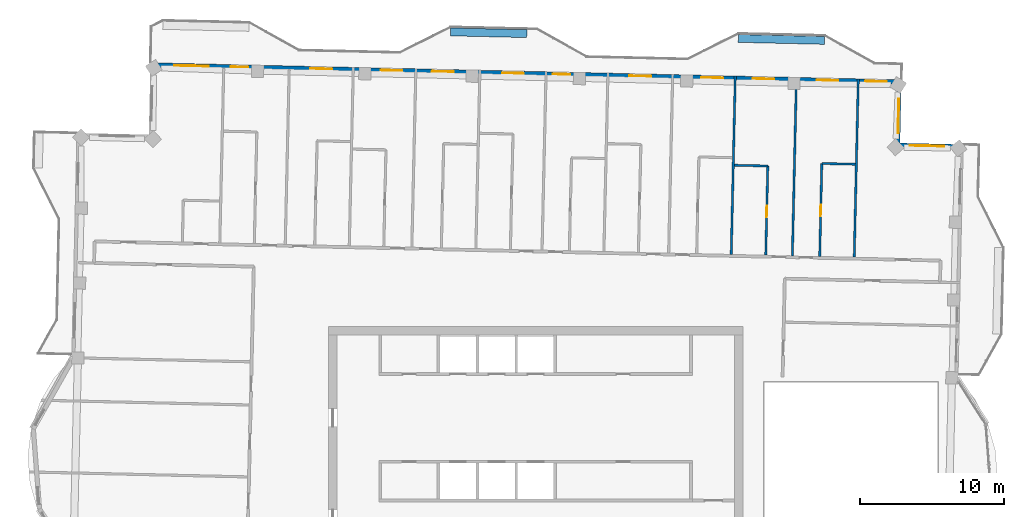
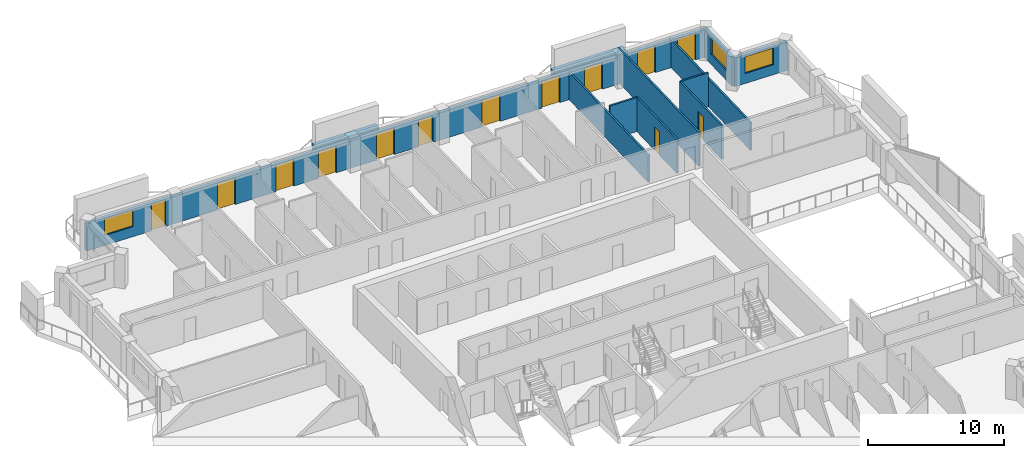
# One storey, part 10 of 15: 13 doors, 12 walls, 3 windows, 16 openings.
"""IFC4 building model written with IfcOpenShell, lengths in metres."""

import ifcopenshell
import ifcopenshell.guid

model = None  # the IFC model being written
_history = None  # IfcOwnerHistory: only IFC2X3 demands one
_inside = {}  # id of a spatial element -> (the spatial element, [elements in it])
_under = {}  # id of a project, library or spatial element -> (it, [spatial elements below it])
_declared = {}  # id of a project -> (the project, [libraries it declares])
_typed = {}  # id of a type object -> (the type object, [elements of that type])
_made_of = {}  # id of a material, layer set ... -> (it, [elements and type objects made of it])


def new_model(schema):
    """Start an empty IFC model of exactly this schema.

    Asked for "IFC4X3", IfcOpenShell would pick the latest addendum, in which some entities
    have other attributes; the version numbers below select the first issue.
    IFC2X3 requires an IfcOwnerHistory on every rooted entity: one is made here for all.
    """
    global model, _history
    if schema == "IFC4X3":
        model = ifcopenshell.file(schema_version=(4, 3, 0, 0))
    else:
        model = ifcopenshell.file(schema=schema)
    _inside.clear()
    _under.clear()
    _declared.clear()
    _typed.clear()
    _made_of.clear()
    _history = None
    if model.schema == "IFC2X3":
        org = make("IfcOrganization", Name="unknown")
        user = make(
            "IfcPersonAndOrganization",
            ThePerson=make("IfcPerson", FamilyName="unknown"),
            TheOrganization=org,
        )
        app = make(
            "IfcApplication",
            ApplicationDeveloper=org,
            Version="unknown",
            ApplicationFullName="unknown",
            ApplicationIdentifier="unknown",
        )
        _history = make(
            "IfcOwnerHistory",
            OwningUser=user,
            OwningApplication=app,
            ChangeAction="ADDED",
            CreationDate=0,
        )
    return model


def make(cls, **values):
    """One entity of the class cls with the attributes given. An attribute that is None is left unset."""
    return model.create_entity(
        cls, **{name: value for name, value in values.items() if value is not None}
    )


def rooted(cls, **values):
    """An entity with a GlobalId (a new one), such as an element, a storey or a relation."""
    return make(cls, GlobalId=ifcopenshell.guid.new(), OwnerHistory=_history, **values)


def si_unit(unit_type, name, prefix=None):
    """IfcSIUnit, for example si_unit("LENGTHUNIT", "METRE", prefix="MILLI")."""
    return make("IfcSIUnit", UnitType=unit_type, Prefix=prefix, Name=name)


def assignment(units):
    """IfcUnitAssignment: the units of a project."""
    return None if units is None else make("IfcUnitAssignment", Units=units)


def point(xyz):
    """IfcCartesianPoint."""
    return None if xyz is None else make("IfcCartesianPoint", Coordinates=xyz)


def direction(xyz):
    """IfcDirection."""
    return None if xyz is None else make("IfcDirection", DirectionRatios=xyz)


def frame(location, z_axis=None, x_axis=None):
    """IfcAxis2Placement3D, a coordinate frame: its origin and axes. An axis left out is left unset."""
    return make(
        "IfcAxis2Placement3D",
        Location=point(location),
        Axis=direction(z_axis),
        RefDirection=direction(x_axis),
    )


def frame_2d(location, x_axis=None):
    """IfcAxis2Placement2D, a coordinate frame in the plane: its origin and x axis."""
    return make(
        "IfcAxis2Placement2D", Location=point(location), RefDirection=direction(x_axis)
    )


def origin():
    """The frame at (0, 0, 0) with its axes left unset."""
    return frame((0.0, 0.0, 0.0))


def place(relative_to, where):
    """IfcLocalPlacement: puts the frame where relative to a parent placement (None: the world)."""
    return make(
        "IfcLocalPlacement", PlacementRelTo=relative_to, RelativePlacement=where
    )


def context(
    kind, dimensions, precision=None, world=None, true_north=None, identifier=None
):
    """IfcGeometricRepresentationContext, for example the 3D "Model" context."""
    return make(
        "IfcGeometricRepresentationContext",
        ContextIdentifier=identifier,
        ContextType=kind,
        CoordinateSpaceDimension=dimensions,
        Precision=precision,
        WorldCoordinateSystem=world,
        TrueNorth=true_north,
    )


def subcontext(parent, identifier, kind, view, scale=None):
    """IfcGeometricRepresentationSubContext, for example "Body" below "Model"."""
    return make(
        "IfcGeometricRepresentationSubContext",
        ContextIdentifier=identifier,
        ContextType=kind,
        ParentContext=parent,
        TargetScale=scale,
        TargetView=view,
    )


def project(units=None, contexts=None):
    """IfcProject with its units and contexts."""
    return rooted(
        "IfcProject",
        Name="project",
        RepresentationContexts=contexts,
        UnitsInContext=assignment(units),
    )


def spatial(cls, under=None, at=None, **own):
    """A site, building, storey or space (cls), placed at a placement, below another one or the project."""
    s = rooted(cls, ObjectPlacement=at, **own)
    if under is not None:
        _under.setdefault(under.id(), (under, []))[1].append(s)
    return s


def profile(cls, at=None, kind="AREA", **sizes):
    """A parametric profile (cls). Its sizes go by their IFC names, for example OverallWidth=200.0."""
    return make(cls, ProfileType=kind, Position=at, **sizes)


def rectangle(**sizes):
    """IfcRectangleProfileDef."""
    return profile("IfcRectangleProfileDef", **sizes)


def extrude(swept, where, along, depth):
    """IfcExtrudedAreaSolid: the profile swept, set in the frame where, extruded along a direction by depth."""
    return make(
        "IfcExtrudedAreaSolid",
        SweptArea=swept,
        Position=where,
        ExtrudedDirection=direction(along),
        Depth=depth,
    )


def shape(context_of_items, identifier, shape_type, items):
    """IfcShapeRepresentation: the items that make up one representation, for example the "Body"."""
    return make(
        "IfcShapeRepresentation",
        ContextOfItems=context_of_items,
        RepresentationIdentifier=identifier,
        RepresentationType=shape_type,
        Items=items,
    )


def material(Name=None, Category=None):
    """IfcMaterial."""
    return make("IfcMaterial", Name=Name, Category=Category)


def layer(
    of_material, thickness, ventilated=None, Name=None, Category=None, Priority=None
):
    """IfcMaterialLayer: one layer of a wall or slab, of a material (None: an air gap)."""
    return make(
        "IfcMaterialLayer",
        Material=of_material,
        LayerThickness=thickness,
        IsVentilated=ventilated,
        Name=Name,
        Category=Category,
        Priority=Priority,
    )


def layer_set(layers, Name=None):
    """IfcMaterialLayerSet."""
    return make("IfcMaterialLayerSet", MaterialLayers=layers, LayerSetName=Name)


def made_of(thing, what):
    """Note that an element or type object is made of a material, layer set ...; save() writes the relation."""
    if what is not None:
        _made_of.setdefault(what.id(), (what, []))[1].append(thing)
    return thing


def type_object(cls, material=None, **own):
    """A type object (cls), such as IfcWallType, which elements share."""
    return made_of(rooted(cls, **own), material)


def element(
    cls,
    number,
    at=None,
    inside=None,
    cuts=None,
    type_object=None,
    material=None,
    context=None,
    identifier="Body",
    shape_type=None,
    held_by="IfcProductDefinitionShape",
    body=None,
    shapes=None,
    **own,
):
    """One element of the class cls, such as IfcWall. Its Tag is "e" and its number.

    at: its placement. inside: the storey or other place that contains it. cuts: it is an
    opening in that element (IfcRelVoidsElement). A single representation is given by context,
    identifier, shape_type and body (its items); several are given by shapes. held_by: the class
    of the entity that holds the representations. save() writes the other relations.
    """
    e = rooted(cls, Tag="e%d" % number, ObjectPlacement=at, **own)
    if body is not None:
        shapes = [shape(context, identifier, shape_type, body)]
    if shapes is not None:
        e.Representation = make(held_by, Representations=shapes)
    if inside is not None:
        _inside.setdefault(inside.id(), (inside, []))[1].append(e)
    if cuts is not None:
        rooted(
            "IfcRelVoidsElement", RelatingBuildingElement=cuts, RelatedOpeningElement=e
        )
    if type_object is not None:
        _typed.setdefault(type_object.id(), (type_object, []))[1].append(e)
    return made_of(e, material)


def fill(opening, filler):
    """IfcRelFillsElement: the door or window that sits in an opening."""
    return rooted(
        "IfcRelFillsElement",
        RelatingOpeningElement=opening,
        RelatedBuildingElement=filler,
    )


def aggregate(whole, parts):
    """IfcRelAggregates: a whole, such as a stair, and the parts it consists of."""
    return rooted("IfcRelAggregates", RelatingObject=whole, RelatedObjects=parts)


def save(model, path):
    """Write the relations noted so far, then the file.

    IfcRelAggregates (storeys below a building ...), IfcRelContainedInSpatialStructure (elements
    in a storey), IfcRelDefinesByType, IfcRelAssociatesMaterial and IfcRelDeclares: one each for
    every whole, place, type object, material and project.
    """
    for whole, parts in _under.values():
        aggregate(whole, parts)
    for where, things in _inside.values():
        rooted(
            "IfcRelContainedInSpatialStructure",
            RelatedElements=things,
            RelatingStructure=where,
        )
    for kind, things in _typed.values():
        rooted("IfcRelDefinesByType", RelatedObjects=things, RelatingType=kind)
    for what, things in _made_of.values():
        rooted("IfcRelAssociatesMaterial", RelatedObjects=things, RelatingMaterial=what)
    for by, libraries in _declared.values():
        rooted("IfcRelDeclares", RelatingContext=by, RelatedDefinitions=libraries)
    model.write(path)


model = new_model("IFC4")

# Units and contexts
model_context = context("Model", 3, precision=1e-05, world=origin(), true_north=direction((0.0, 1.0)))
body_context = subcontext(model_context, "Body", "Model", "MODEL_VIEW")
ifc_project = project(units=[si_unit("LENGTHUNIT", "METRE"), si_unit("AREAUNIT", "SQUARE_METRE"), si_unit("VOLUMEUNIT", "CUBIC_METRE"), si_unit("PLANEANGLEUNIT", "RADIAN"), si_unit("MASSUNIT", "GRAM", prefix="KILO")], contexts=[model_context])

# Site, building, storey
site_placement = place(None, origin())
site = spatial("IfcSite", under=ifc_project, at=site_placement, CompositionType="ELEMENT")
building_placement = place(site_placement, origin())
building = spatial("IfcBuilding", under=site, at=building_placement, Name="Mangrove Gate Tower", CompositionType="ELEMENT")
storey_placement = place(building_placement, frame((0.0, 0.0, 320.5)))
storey = spatial("IfcBuildingStorey", under=building, at=storey_placement, Name="L82", CompositionType="ELEMENT", Elevation=320.5)

# Wall, opening, window
ifc_material_1 = material(Name="Limestone", Category="masonry")
ifc_layer_1 = layer(ifc_material_1, 0.0400390625, Name="Limestone cladding")
ifc_material_2 = material(Name="Ventilated air gap")
ifc_layer_2 = layer(ifc_material_2, 0.0400390625, Name="Ventilated cavity")
ifc_material_3 = material(Name="Mineral wool insulation")
ifc_layer_3 = layer(ifc_material_3, 0.06005859375, Name="Insulation")
ifc_material_4 = material(Name="Breather membrane")
ifc_layer_4 = layer(ifc_material_4, 0.001953125, Name="Breather membrane")
ifc_material_5 = material(Name="Concrete C20/25 blockwork", Category="masonry")
ifc_layer_5 = layer(ifc_material_5, 0.14990234375, Name="Blockwork backing wall")
ifc_material_6 = material(Name="Gypsum plaster")
ifc_layer_6 = layer(ifc_material_6, 0.008056640625, Name="Internal plaster")
ifc_layer_set_1 = layer_set([ifc_layer_1, ifc_layer_2, ifc_layer_3, ifc_layer_4, ifc_layer_5, ifc_layer_6], Name="External wall 300 limestone cladding")
wall_type_1 = type_object("IfcWallType", Name="External wall 300 limestone cladding", PredefinedType="SOLIDWALL", material=ifc_layer_set_1)
wall_1_placement = place(storey_placement, frame((29.56298828125, 23.89892578125, 0.0), z_axis=(0.0, 0.0, 1.0), x_axis=(-0.999741204967, 0.022749133868, 0.0)))
wall_1 = element("IfcWall", 1, at=wall_1_placement, inside=storey, type_object=wall_type_1, Name="WALL-L82-N3", PredefinedType="SOLIDWALL", context=body_context, shape_type="SweptSolid", body=[
    extrude(rectangle(XDim=4.400146484375, YDim=0.300048828125, at=frame_2d((2.2001953125, 0.0))), origin(), (0.0, 0.0, 1.0), 2.550048828125),
])
opening_1_placement = place(wall_1_placement, frame((1.1640625, 0.0, 0.89990234375)))
opening_1 = element("IfcOpeningElement", 2, at=opening_1_placement, cuts=wall_1, Name="Opening W2", PredefinedType="OPENING", context=body_context, shape_type="SweptSolid", body=[
    extrude(rectangle(XDim=2.39990234375, YDim=1.5, at=frame_2d((1.199951171875, 0.75))), frame((0.0, 0.159912109375, 0.0), z_axis=(0.0, -1.0, 0.0), x_axis=(1.0, 0.0, 0.0)), (0.0, 0.0, 1.0), 0.320068359375),
])
ifc_material_7 = material(Name="Aluminium frame with double-glazed low-e glass", Category="aluminium")
window_type = type_object("IfcWindowType", Name="Corner room window 2400x1500", PartitioningType="DOUBLE_PANEL_VERTICAL", PredefinedType="WINDOW", material=ifc_material_7)
window_1_placement = place(opening_1_placement, origin())
window_1 = element("IfcWindow", 3, at=window_1_placement, inside=storey, type_object=window_type, Name="WIN-L82-N3-1", OverallHeight=1.5, OverallWidth=2.39990234375, PartitioningType="DOUBLE_PANEL_VERTICAL", PredefinedType="WINDOW", context=body_context, shape_type="SweptSolid", body=[
    extrude(rectangle(XDim=2.39990234375, YDim=1.5, at=frame_2d((1.199951171875, 0.75))), frame((0.0, 0.030029296875, 0.0), z_axis=(0.0, -1.0, 0.0), x_axis=(1.0, 0.0, 0.0)), (0.0, 0.0, 1.0), 0.06005859375),
])
fill(opening_1, window_1)

wall_2_placement = place(storey_placement, frame((25.1640625, 23.9990234375, 0.0), z_axis=(0.0, 0.0, 1.0), x_axis=(0.02269871331, 0.999742351016, 0.0)))
wall_2 = element("IfcWall", 4, at=wall_2_placement, inside=storey, type_object=wall_type_1, Name="WALL-L82-E4", PredefinedType="SOLIDWALL", context=body_context, shape_type="SweptSolid", body=[
    extrude(rectangle(XDim=4.399169921875, YDim=0.300048828125, at=frame_2d((2.19970703125, 0.0))), origin(), (0.0, 0.0, 1.0), 2.550048828125),
])
opening_2_placement = place(wall_2_placement, frame((0.825927734375, 0.0, 0.89990234375)))
opening_2 = element("IfcOpeningElement", 5, at=opening_2_placement, cuts=wall_2, Name="Opening W2", PredefinedType="OPENING", context=body_context, shape_type="SweptSolid", body=[
    extrude(rectangle(XDim=2.39990234375, YDim=1.5, at=frame_2d((1.199951171875, 0.75))), frame((0.0, 0.159912109375, 0.0), z_axis=(0.0, -1.0, 0.0), x_axis=(1.0, 0.0, 0.0)), (0.0, 0.0, 1.0), 0.320068359375),
])
window_2_placement = place(opening_2_placement, origin())
window_2 = element("IfcWindow", 6, at=window_2_placement, inside=storey, type_object=window_type, Name="WIN-L82-E4-1", OverallHeight=1.5, OverallWidth=2.39990234375, PartitioningType="DOUBLE_PANEL_VERTICAL", PredefinedType="WINDOW", context=body_context, shape_type="SweptSolid", body=[
    extrude(rectangle(XDim=2.39990234375, YDim=1.5, at=frame_2d((1.199951171875, 0.75))), frame((0.0, 0.030029296875, 0.0), z_axis=(0.0, -1.0, 0.0), x_axis=(1.0, 0.0, 0.0)), (0.0, 0.0, 1.0), 0.06005859375),
])
fill(opening_2, window_2)

# Wall, openings, doors, window
wall_3_placement = place(storey_placement, frame((25.263916015625, 28.39697265625, 0.0), z_axis=(0.0, 0.0, 1.0), x_axis=(-0.999742391375, 0.022696935658, 0.0)))
wall_3 = element("IfcWall", 7, at=wall_3_placement, inside=storey, type_object=wall_type_1, Name="WALL-L82-N5", PredefinedType="SOLIDWALL", context=body_context, shape_type="SweptSolid", body=[
    extrude(rectangle(XDim=51.900390625, YDim=0.300048828125, at=frame_2d((25.9501953125, 0.0))), origin(), (0.0, 0.0, 1.0), 2.449951171875),
])
opening_3_placement = place(wall_3_placement, frame((0.8740234375, 0.0, 0.0)))
opening_3 = element("IfcOpeningElement", 8, at=opening_3_placement, cuts=wall_3, Name="Opening BD1", PredefinedType="OPENING", context=body_context, shape_type="SweptSolid", body=[
    extrude(rectangle(XDim=1.5, YDim=2.39990234375, at=frame_2d((0.75, 1.199951171875))), frame((0.0, 0.159912109375, 0.0), z_axis=(0.0, -1.0, 0.0), x_axis=(1.0, 0.0, 0.0)), (0.0, 0.0, 1.0), 0.320068359375),
])
opening_4_placement = place(wall_3_placement, frame((4.240966796875, 0.0, 0.0)))
opening_4 = element("IfcOpeningElement", 9, at=opening_4_placement, cuts=wall_3, Name="Opening BD1", PredefinedType="OPENING", context=body_context, shape_type="SweptSolid", body=[
    extrude(rectangle(XDim=1.5, YDim=2.39990234375, at=frame_2d((0.75, 1.199951171875))), frame((0.0, 0.159912109375, 0.0), z_axis=(0.0, -1.0, 0.0), x_axis=(1.0, 0.0, 0.0)), (0.0, 0.0, 1.0), 0.320068359375),
])
opening_5_placement = place(wall_3_placement, frame((8.69091796875, 0.0, 0.0)))
opening_5 = element("IfcOpeningElement", 10, at=opening_5_placement, cuts=wall_3, Name="Opening BD1", PredefinedType="OPENING", context=body_context, shape_type="SweptSolid", body=[
    extrude(rectangle(XDim=1.5, YDim=2.39990234375, at=frame_2d((0.75, 1.199951171875))), frame((0.0, 0.159912109375, 0.0), z_axis=(0.0, -1.0, 0.0), x_axis=(1.0, 0.0, 0.0)), (0.0, 0.0, 1.0), 0.320068359375),
])
opening_6_placement = place(wall_3_placement, frame((12.2451171875, 0.0, 0.0)))
opening_6 = element("IfcOpeningElement", 11, at=opening_6_placement, cuts=wall_3, Name="Opening BD1", PredefinedType="OPENING", context=body_context, shape_type="SweptSolid", body=[
    extrude(rectangle(XDim=1.5, YDim=2.39990234375, at=frame_2d((0.75, 1.199951171875))), frame((0.0, 0.159912109375, 0.0), z_axis=(0.0, -1.0, 0.0), x_axis=(1.0, 0.0, 0.0)), (0.0, 0.0, 1.0), 0.320068359375),
])
opening_7_placement = place(wall_3_placement, frame((17.25, 0.0, 0.0)))
opening_7 = element("IfcOpeningElement", 12, at=opening_7_placement, cuts=wall_3, Name="Opening BD1", PredefinedType="OPENING", context=body_context, shape_type="SweptSolid", body=[
    extrude(rectangle(XDim=1.5, YDim=2.39990234375, at=frame_2d((0.75, 1.199951171875))), frame((0.0, 0.159912109375, 0.0), z_axis=(0.0, -1.0, 0.0), x_axis=(1.0, 0.0, 0.0)), (0.0, 0.0, 1.0), 0.320068359375),
])
opening_8_placement = place(wall_3_placement, frame((22.8740234375, 0.0, 0.0)))
opening_8 = element("IfcOpeningElement", 13, at=opening_8_placement, cuts=wall_3, Name="Opening BD2", PredefinedType="OPENING", context=body_context, shape_type="SweptSolid", body=[
    extrude(rectangle(XDim=1.199951171875, YDim=2.39990234375, at=frame_2d((0.60009765625, 1.199951171875))), frame((0.0, 0.159912109375, 0.0), z_axis=(0.0, -1.0, 0.0), x_axis=(1.0, 0.0, 0.0)), (0.0, 0.0, 1.0), 0.320068359375),
])
opening_9_placement = place(wall_3_placement, frame((26.10009765625, 0.0, 0.0)))
opening_9 = element("IfcOpeningElement", 14, at=opening_9_placement, cuts=wall_3, Name="Opening BD1", PredefinedType="OPENING", context=body_context, shape_type="SweptSolid", body=[
    extrude(rectangle(XDim=1.5, YDim=2.39990234375, at=frame_2d((0.75, 1.199951171875))), frame((0.0, 0.159912109375, 0.0), z_axis=(0.0, -1.0, 0.0), x_axis=(1.0, 0.0, 0.0)), (0.0, 0.0, 1.0), 0.320068359375),
])
opening_10_placement = place(wall_3_placement, frame((30.97705078125, 0.0, 0.0)))
opening_10 = element("IfcOpeningElement", 15, at=opening_10_placement, cuts=wall_3, Name="Opening BD1", PredefinedType="OPENING", context=body_context, shape_type="SweptSolid", body=[
    extrude(rectangle(XDim=1.5, YDim=2.39990234375, at=frame_2d((0.75, 1.199951171875))), frame((0.0, 0.159912109375, 0.0), z_axis=(0.0, -1.0, 0.0), x_axis=(1.0, 0.0, 0.0)), (0.0, 0.0, 1.0), 0.320068359375),
])
opening_11_placement = place(wall_3_placement, frame((34.530029296875, 0.0, 0.0)))
opening_11 = element("IfcOpeningElement", 16, at=opening_11_placement, cuts=wall_3, Name="Opening BD1", PredefinedType="OPENING", context=body_context, shape_type="SweptSolid", body=[
    extrude(rectangle(XDim=1.5, YDim=2.39990234375, at=frame_2d((0.75, 1.199951171875))), frame((0.0, 0.159912109375, 0.0), z_axis=(0.0, -1.0, 0.0), x_axis=(1.0, 0.0, 0.0)), (0.0, 0.0, 1.0), 0.320068359375),
])
opening_12_placement = place(wall_3_placement, frame((39.425048828125, 0.0, 0.0)))
opening_12 = element("IfcOpeningElement", 17, at=opening_12_placement, cuts=wall_3, Name="Opening BD1", PredefinedType="OPENING", context=body_context, shape_type="SweptSolid", body=[
    extrude(rectangle(XDim=1.5, YDim=2.39990234375, at=frame_2d((0.75, 1.199951171875))), frame((0.0, 0.159912109375, 0.0), z_axis=(0.0, -1.0, 0.0), x_axis=(1.0, 0.0, 0.0)), (0.0, 0.0, 1.0), 0.320068359375),
])
opening_13_placement = place(wall_3_placement, frame((45.259033203125, 0.0, 0.0)))
opening_13 = element("IfcOpeningElement", 18, at=opening_13_placement, cuts=wall_3, Name="Opening BD2", PredefinedType="OPENING", context=body_context, shape_type="SweptSolid", body=[
    extrude(rectangle(XDim=1.199951171875, YDim=2.39990234375, at=frame_2d((0.60009765625, 1.199951171875))), frame((0.0, 0.159912109375, 0.0), z_axis=(0.0, -1.0, 0.0), x_axis=(1.0, 0.0, 0.0)), (0.0, 0.0, 1.0), 0.320068359375),
])
opening_14_placement = place(wall_3_placement, frame((47.987060546875, 0.0, 0.89990234375)))
opening_14 = element("IfcOpeningElement", 19, at=opening_14_placement, cuts=wall_3, Name="Opening W2", PredefinedType="OPENING", context=body_context, shape_type="SweptSolid", body=[
    extrude(rectangle(XDim=2.39990234375, YDim=1.5, at=frame_2d((1.199951171875, 0.75))), frame((0.0, 0.159912109375, 0.0), z_axis=(0.0, -1.0, 0.0), x_axis=(1.0, 0.0, 0.0)), (0.0, 0.0, 1.0), 0.320068359375),
])
ifc_material_8 = material(Name="Aluminium frame with laminated clear glass", Category="aluminium")
door_type_1 = type_object("IfcDoorType", Name="Balcony sliding door 1200x2400", OperationType="SLIDING_TO_LEFT", PredefinedType="DOOR", material=ifc_material_8)
door_1_placement = place(opening_8_placement, origin())
door_1 = element("IfcDoor", 20, at=door_1_placement, inside=storey, type_object=door_type_1, Name="DOOR-L82-N5-6", OperationType="SLIDING_TO_LEFT", OverallHeight=2.39990234375, OverallWidth=1.199951171875, PredefinedType="DOOR", context=body_context, shape_type="SweptSolid", body=[
    extrude(rectangle(XDim=1.199951171875, YDim=2.39990234375, at=frame_2d((0.60009765625, 1.199951171875))), frame((0.0, 0.02490234375, 0.0), z_axis=(0.0, -1.0, 0.0), x_axis=(1.0, 0.0, 0.0)), (0.0, 0.0, 1.0), 0.050048828125),
])
fill(opening_8, door_1)
door_2_placement = place(opening_13_placement, origin())
door_2 = element("IfcDoor", 21, at=door_2_placement, inside=storey, type_object=door_type_1, Name="DOOR-L82-N5-11", OperationType="SLIDING_TO_LEFT", OverallHeight=2.39990234375, OverallWidth=1.199951171875, PredefinedType="DOOR", context=body_context, shape_type="SweptSolid", body=[
    extrude(rectangle(XDim=1.199951171875, YDim=2.39990234375, at=frame_2d((0.60009765625, 1.199951171875))), frame((0.0, 0.02490234375, 0.0), z_axis=(0.0, -1.0, 0.0), x_axis=(1.0, 0.0, 0.0)), (0.0, 0.0, 1.0), 0.050048828125),
])
fill(opening_13, door_2)
ifc_material_9 = material(Name="Aluminium frame with laminated clear glass", Category="aluminium")
door_type_2 = type_object("IfcDoorType", Name="Balcony sliding door 1500x2400", OperationType="SLIDING_TO_LEFT", PredefinedType="DOOR", material=ifc_material_9)
door_3_placement = place(opening_3_placement, origin())
door_3 = element("IfcDoor", 22, at=door_3_placement, inside=storey, type_object=door_type_2, Name="DOOR-L82-N5-1", OperationType="SLIDING_TO_LEFT", OverallHeight=2.39990234375, OverallWidth=1.5, PredefinedType="DOOR", context=body_context, shape_type="SweptSolid", body=[
    extrude(rectangle(XDim=1.5, YDim=2.39990234375, at=frame_2d((0.75, 1.199951171875))), frame((0.0, 0.02490234375, 0.0), z_axis=(0.0, -1.0, 0.0), x_axis=(1.0, 0.0, 0.0)), (0.0, 0.0, 1.0), 0.050048828125),
])
fill(opening_3, door_3)
door_4_placement = place(opening_4_placement, origin())
door_4 = element("IfcDoor", 23, at=door_4_placement, inside=storey, type_object=door_type_2, Name="DOOR-L82-N5-2", OperationType="SLIDING_TO_LEFT", OverallHeight=2.39990234375, OverallWidth=1.5, PredefinedType="DOOR", context=body_context, shape_type="SweptSolid", body=[
    extrude(rectangle(XDim=1.5, YDim=2.39990234375, at=frame_2d((0.75, 1.199951171875))), frame((0.0, 0.02490234375, 0.0), z_axis=(0.0, -1.0, 0.0), x_axis=(1.0, 0.0, 0.0)), (0.0, 0.0, 1.0), 0.050048828125),
])
fill(opening_4, door_4)
door_5_placement = place(opening_5_placement, origin())
door_5 = element("IfcDoor", 24, at=door_5_placement, inside=storey, type_object=door_type_2, Name="DOOR-L82-N5-3", OperationType="SLIDING_TO_LEFT", OverallHeight=2.39990234375, OverallWidth=1.5, PredefinedType="DOOR", context=body_context, shape_type="SweptSolid", body=[
    extrude(rectangle(XDim=1.5, YDim=2.39990234375, at=frame_2d((0.75, 1.199951171875))), frame((0.0, 0.02490234375, 0.0), z_axis=(0.0, -1.0, 0.0), x_axis=(1.0, 0.0, 0.0)), (0.0, 0.0, 1.0), 0.050048828125),
])
fill(opening_5, door_5)
door_6_placement = place(opening_6_placement, origin())
door_6 = element("IfcDoor", 25, at=door_6_placement, inside=storey, type_object=door_type_2, Name="DOOR-L82-N5-4", OperationType="SLIDING_TO_LEFT", OverallHeight=2.39990234375, OverallWidth=1.5, PredefinedType="DOOR", context=body_context, shape_type="SweptSolid", body=[
    extrude(rectangle(XDim=1.5, YDim=2.39990234375, at=frame_2d((0.75, 1.199951171875))), frame((0.0, 0.02490234375, 0.0), z_axis=(0.0, -1.0, 0.0), x_axis=(1.0, 0.0, 0.0)), (0.0, 0.0, 1.0), 0.050048828125),
])
fill(opening_6, door_6)
door_7_placement = place(opening_7_placement, origin())
door_7 = element("IfcDoor", 26, at=door_7_placement, inside=storey, type_object=door_type_2, Name="DOOR-L82-N5-5", OperationType="SLIDING_TO_LEFT", OverallHeight=2.39990234375, OverallWidth=1.5, PredefinedType="DOOR", context=body_context, shape_type="SweptSolid", body=[
    extrude(rectangle(XDim=1.5, YDim=2.39990234375, at=frame_2d((0.75, 1.199951171875))), frame((0.0, 0.02490234375, 0.0), z_axis=(0.0, -1.0, 0.0), x_axis=(1.0, 0.0, 0.0)), (0.0, 0.0, 1.0), 0.050048828125),
])
fill(opening_7, door_7)
door_8_placement = place(opening_9_placement, origin())
door_8 = element("IfcDoor", 27, at=door_8_placement, inside=storey, type_object=door_type_2, Name="DOOR-L82-N5-7", OperationType="SLIDING_TO_LEFT", OverallHeight=2.39990234375, OverallWidth=1.5, PredefinedType="DOOR", context=body_context, shape_type="SweptSolid", body=[
    extrude(rectangle(XDim=1.5, YDim=2.39990234375, at=frame_2d((0.75, 1.199951171875))), frame((0.0, 0.02490234375, 0.0), z_axis=(0.0, -1.0, 0.0), x_axis=(1.0, 0.0, 0.0)), (0.0, 0.0, 1.0), 0.050048828125),
])
fill(opening_9, door_8)
door_9_placement = place(opening_10_placement, origin())
door_9 = element("IfcDoor", 28, at=door_9_placement, inside=storey, type_object=door_type_2, Name="DOOR-L82-N5-8", OperationType="SLIDING_TO_LEFT", OverallHeight=2.39990234375, OverallWidth=1.5, PredefinedType="DOOR", context=body_context, shape_type="SweptSolid", body=[
    extrude(rectangle(XDim=1.5, YDim=2.39990234375, at=frame_2d((0.75, 1.199951171875))), frame((0.0, 0.02490234375, 0.0), z_axis=(0.0, -1.0, 0.0), x_axis=(1.0, 0.0, 0.0)), (0.0, 0.0, 1.0), 0.050048828125),
])
fill(opening_10, door_9)
door_10_placement = place(opening_11_placement, origin())
door_10 = element("IfcDoor", 29, at=door_10_placement, inside=storey, type_object=door_type_2, Name="DOOR-L82-N5-9", OperationType="SLIDING_TO_LEFT", OverallHeight=2.39990234375, OverallWidth=1.5, PredefinedType="DOOR", context=body_context, shape_type="SweptSolid", body=[
    extrude(rectangle(XDim=1.5, YDim=2.39990234375, at=frame_2d((0.75, 1.199951171875))), frame((0.0, 0.02490234375, 0.0), z_axis=(0.0, -1.0, 0.0), x_axis=(1.0, 0.0, 0.0)), (0.0, 0.0, 1.0), 0.050048828125),
])
fill(opening_11, door_10)
door_11_placement = place(opening_12_placement, origin())
door_11 = element("IfcDoor", 30, at=door_11_placement, inside=storey, type_object=door_type_2, Name="DOOR-L82-N5-10", OperationType="SLIDING_TO_LEFT", OverallHeight=2.39990234375, OverallWidth=1.5, PredefinedType="DOOR", context=body_context, shape_type="SweptSolid", body=[
    extrude(rectangle(XDim=1.5, YDim=2.39990234375, at=frame_2d((0.75, 1.199951171875))), frame((0.0, 0.02490234375, 0.0), z_axis=(0.0, -1.0, 0.0), x_axis=(1.0, 0.0, 0.0)), (0.0, 0.0, 1.0), 0.050048828125),
])
fill(opening_12, door_11)
window_3_placement = place(opening_14_placement, origin())
window_3 = element("IfcWindow", 31, at=window_3_placement, inside=storey, type_object=window_type, Name="WIN-L82-N5-12", OverallHeight=1.5, OverallWidth=2.39990234375, PartitioningType="DOUBLE_PANEL_VERTICAL", PredefinedType="WINDOW", context=body_context, shape_type="SweptSolid", body=[
    extrude(rectangle(XDim=2.39990234375, YDim=1.5, at=frame_2d((1.199951171875, 0.75))), frame((0.0, 0.030029296875, 0.0), z_axis=(0.0, -1.0, 0.0), x_axis=(1.0, 0.0, 0.0)), (0.0, 0.0, 1.0), 0.06005859375),
])
fill(opening_14, window_3)

# Wall
ifc_material_10 = material(Name="Gypsum board on steel stud, EI 60", Category="steel")
ifc_layer_7 = layer(ifc_material_10, 0.14990234375)
ifc_layer_set_2 = layer_set([ifc_layer_7], Name="Party wall 150 EI 60")
wall_type_2 = type_object("IfcWallType", Name="Party wall 150 EI 60", PredefinedType="PARTITIONING", material=ifc_layer_set_2)
wall_4_placement = place(storey_placement, frame((13.589111328125, 16.408935546875, 0.0), z_axis=(0.0, 0.0, 1.0), x_axis=(0.022661475803, 0.999743195783, 0.0)))
element("IfcWall", 32, at=wall_4_placement, inside=storey, type_object=wall_type_2, Name="WALL-L82-077", PredefinedType="PARTITIONING", context=body_context, shape_type="SweptSolid", body=[
    extrude(rectangle(XDim=12.400146484375, YDim=0.14990234375, at=frame_2d((6.2001953125, 0.0))), origin(), (0.0, 0.0, 1.0), 2.449951171875),
])

# Wall, opening, door
wall_5_placement = place(storey_placement, frame((15.988037109375, 16.35498046875, 0.0), z_axis=(0.0, 0.0, 1.0), x_axis=(0.022722299893, 0.999741815214, 0.0)))
wall_5 = element("IfcWall", 33, at=wall_5_placement, inside=storey, type_object=wall_type_2, Name="WALL-L82-078", PredefinedType="PARTITIONING", context=body_context, shape_type="SweptSolid", body=[
    extrude(rectangle(XDim=6.19970703125, YDim=0.14990234375, at=frame_2d((3.099853515625, 0.0))), origin(), (0.0, 0.0, 1.0), 3.050048828125),
])
opening_15_placement = place(wall_5_placement, frame((2.64990234375, 0.0, 0.0)))
opening_15 = element("IfcOpeningElement", 34, at=opening_15_placement, cuts=wall_5, Name="Opening ED", PredefinedType="OPENING", context=body_context, shape_type="SweptSolid", body=[
    extrude(rectangle(XDim=0.800048828125, YDim=2.10009765625, at=frame_2d((0.39990234375, 1.050048828125))), frame((0.0, 0.0849609375, 0.0), z_axis=(0.0, -1.0, 0.0), x_axis=(1.0, 0.0, 0.0)), (0.0, 0.0, 1.0), 0.169921875),
])
ifc_material_11 = material(Name="Timber door leaf", Category="wood")
door_type_3 = type_object("IfcDoorType", Name="En-suite door 800", OperationType="SINGLE_SWING_LEFT", PredefinedType="DOOR", material=ifc_material_11)
door_12_placement = place(opening_15_placement, origin())
door_12 = element("IfcDoor", 35, at=door_12_placement, inside=storey, type_object=door_type_3, Name="DOOR-L82-ENS-c312", OperationType="SINGLE_SWING_RIGHT", OverallHeight=2.10009765625, OverallWidth=0.800048828125, PredefinedType="DOOR", context=body_context, shape_type="SweptSolid", body=[
    extrude(rectangle(XDim=0.800048828125, YDim=2.10009765625, at=frame_2d((0.39990234375, 1.050048828125))), frame((0.0, 0.02490234375, 0.0), z_axis=(0.0, -1.0, 0.0), x_axis=(1.0, 0.0, 0.0)), (0.0, 0.0, 1.0), 0.050048828125),
])
fill(opening_15, door_12)

# Wall
wall_6_placement = place(storey_placement, frame((17.837890625, 16.31298828125, 0.0), z_axis=(0.0, 0.0, 1.0), x_axis=(0.022661475803, 0.999743195783, 0.0)))
element("IfcWall", 36, at=wall_6_placement, inside=storey, type_object=wall_type_2, Name="WALL-L82-079", PredefinedType="PARTITIONING", context=body_context, shape_type="SweptSolid", body=[
    extrude(rectangle(XDim=12.400146484375, YDim=0.14990234375, at=frame_2d((6.2001953125, 0.0))), origin(), (0.0, 0.0, 1.0), 3.050048828125),
])

# Wall, opening, door
wall_7_placement = place(storey_placement, frame((19.737060546875, 16.27001953125, 0.0), z_axis=(0.0, 0.0, 1.0), x_axis=(0.022752312182, 0.999741132639, 0.0)))
wall_7 = element("IfcWall", 37, at=wall_7_placement, inside=storey, type_object=wall_type_2, Name="WALL-L82-080", PredefinedType="PARTITIONING", context=body_context, shape_type="SweptSolid", body=[
    extrude(rectangle(XDim=6.459716796875, YDim=0.14990234375, at=frame_2d((3.22998046875, 0.0))), origin(), (0.0, 0.0, 1.0), 3.050048828125),
])
opening_16_placement = place(wall_7_placement, frame((2.780029296875, 0.0, 0.0)))
opening_16 = element("IfcOpeningElement", 38, at=opening_16_placement, cuts=wall_7, Name="Opening ED", PredefinedType="OPENING", context=body_context, shape_type="SweptSolid", body=[
    extrude(rectangle(XDim=0.800048828125, YDim=2.10009765625, at=frame_2d((0.39990234375, 1.050048828125))), frame((0.0, 0.0849609375, 0.0), z_axis=(0.0, -1.0, 0.0), x_axis=(1.0, 0.0, 0.0)), (0.0, 0.0, 1.0), 0.169921875),
])
door_13_placement = place(opening_16_placement, origin())
door_13 = element("IfcDoor", 39, at=door_13_placement, inside=storey, type_object=door_type_3, Name="DOOR-L82-ENS-c311", OperationType="SINGLE_SWING_LEFT", OverallHeight=2.10009765625, OverallWidth=0.800048828125, PredefinedType="DOOR", context=body_context, shape_type="SweptSolid", body=[
    extrude(rectangle(XDim=0.800048828125, YDim=2.10009765625, at=frame_2d((0.39990234375, 1.050048828125))), frame((0.0, 0.02490234375, 0.0), z_axis=(0.0, -1.0, 0.0), x_axis=(1.0, 0.0, 0.0)), (0.0, 0.0, 1.0), 0.050048828125),
])
fill(opening_16, door_13)

# Walls
wall_8_placement = place(storey_placement, frame((22.136962890625, 16.215087890625, 0.0), z_axis=(0.0, 0.0, 1.0), x_axis=(0.022661475803, 0.999743195783, 0.0)))
element("IfcWall", 40, at=wall_8_placement, inside=storey, type_object=wall_type_2, Name="WALL-L82-081", PredefinedType="PARTITIONING", context=body_context, shape_type="SweptSolid", body=[
    extrude(rectangle(XDim=12.400146484375, YDim=0.14990234375, at=frame_2d((6.2001953125, 0.0))), origin(), (0.0, 0.0, 1.0), 2.5),
])
wall_9_placement = place(storey_placement, frame((13.803955078125, 22.60595703125, 0.0), z_axis=(0.0, 0.0, 1.0), x_axis=(0.999740478815, -0.022781023197, 0.0)))
element("IfcWall", 41, at=wall_9_placement, inside=storey, type_object=wall_type_2, Name="WALL-L82-083", PredefinedType="PARTITIONING", context=body_context, shape_type="SweptSolid", body=[
    extrude(rectangle(XDim=2.325439453125, YDim=0.14990234375, at=frame_2d((1.16259765625, 0.0))), origin(), (0.0, 0.0, 1.0), 3.050048828125),
])
wall_10_placement = place(storey_placement, frame((19.884033203125, 22.72802734375, 0.0), z_axis=(0.0, 0.0, 1.0), x_axis=(0.999740260747, -0.02279059109, 0.0)))
element("IfcWall", 42, at=wall_10_placement, inside=storey, type_object=wall_type_2, Name="WALL-L82-085", PredefinedType="PARTITIONING", context=body_context, shape_type="SweptSolid", body=[
    extrude(rectangle(XDim=2.324462890625, YDim=0.14990234375, at=frame_2d((1.162109375, 0.0))), origin(), (0.0, 0.0, 1.0), 3.050048828125),
])
ifc_material_12 = material(Name="Concrete C32/40", Category="concrete")
ifc_layer_8 = layer(ifc_material_12, 0.199951171875, Name="Planter trough wall")
ifc_material_13 = material(Name="Bituminous waterproofing membrane")
ifc_layer_9 = layer(ifc_material_13, 0.0048828125, Name="Waterproofing")
ifc_material_14 = material(Name="Drainage board and gravel")
ifc_layer_10 = layer(ifc_material_14, 0.044921875, Name="Drainage layer")
ifc_material_15 = material(Name="Planting soil")
ifc_layer_11 = layer(ifc_material_15, 0.300048828125, Name="Growing medium")
ifc_layer_set_3 = layer_set([ifc_layer_8, ifc_layer_9, ifc_layer_10, ifc_layer_11], Name="Planter wall 550 C32/40")
wall_type_3 = type_object("IfcWallType", Name="Planter wall 550 C32/40", PredefinedType="USERDEFINED", material=ifc_layer_set_3)
wall_11_placement = place(storey_placement, frame((14.080078125, 31.4169921875, 0.0), z_axis=(0.0, 0.0, 1.0), x_axis=(0.999743073592, -0.022666865795, 0.0)))
element("IfcWall", 43, at=wall_11_placement, inside=storey, type_object=wall_type_3, Name="PLANTER L82 N0.1", ObjectType="PLANTER", PredefinedType="USERDEFINED", context=body_context, shape_type="SweptSolid", body=[
    extrude(rectangle(XDim=5.999267578125, YDim=0.550048828125, at=frame_2d((2.99951171875, 0.0))), origin(), (0.0, 0.0, 1.0), 0.800048828125),
])
wall_12_placement = place(storey_placement, frame((-5.9150390625, 31.87109375, 0.0), z_axis=(0.0, 0.0, 1.0), x_axis=(0.999738901878, -0.022850121899, 0.0)))
element("IfcWall", 44, at=wall_12_placement, inside=storey, type_object=wall_type_3, Name="PLANTER L82 N1.2", ObjectType="PLANTER", PredefinedType="USERDEFINED", context=body_context, shape_type="SweptSolid", body=[
    extrude(rectangle(XDim=5.299560546875, YDim=0.550048828125, at=frame_2d((2.64990234375, 0.0))), origin(), (0.0, 0.0, 1.0), 0.800048828125),
])

save(model, "model.ifc")
